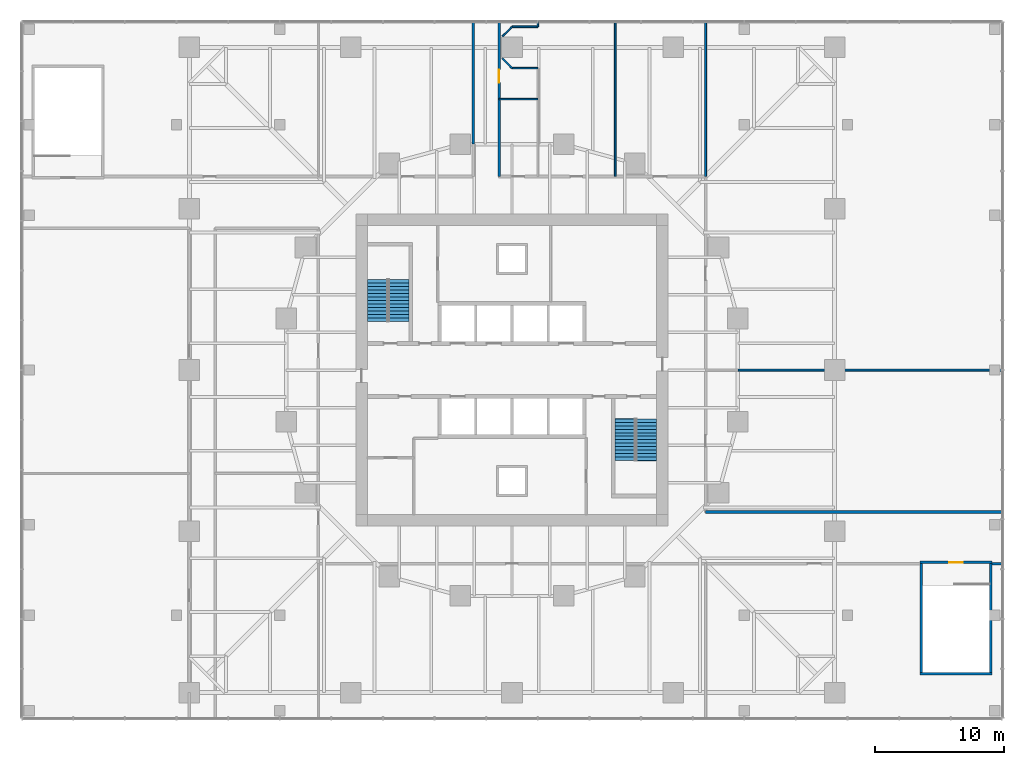
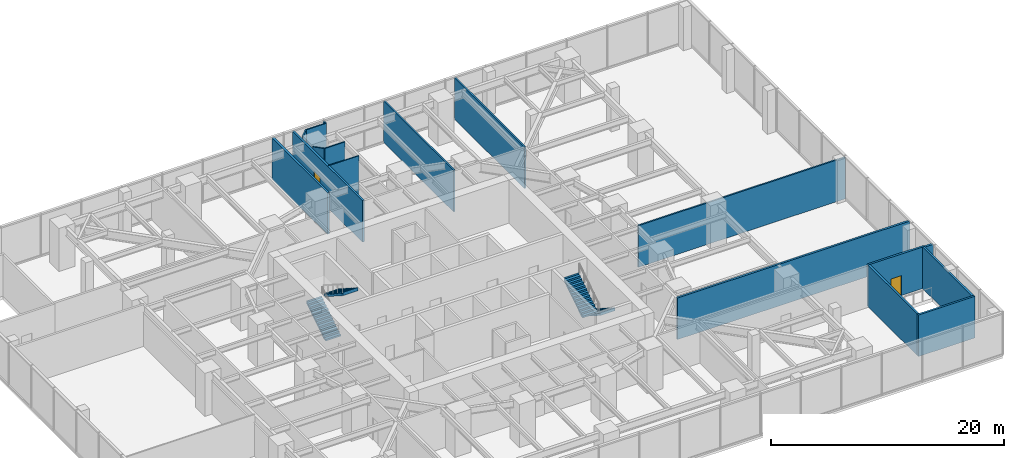
# One storey, part 13 of 14: 17 walls, 4 stair flights, 2 doors, 2 openings, 2 elements without a shape of their own.
"""IFC4 building model written with IfcOpenShell, lengths in metres."""

import ifcopenshell
import ifcopenshell.guid

model = None  # the IFC model being written
_history = None  # IfcOwnerHistory: only IFC2X3 demands one
_inside = {}  # id of a spatial element -> (the spatial element, [elements in it])
_under = {}  # id of a project, library or spatial element -> (it, [spatial elements below it])
_declared = {}  # id of a project -> (the project, [libraries it declares])
_typed = {}  # id of a type object -> (the type object, [elements of that type])
_made_of = {}  # id of a material, layer set ... -> (it, [elements and type objects made of it])


def new_model(schema):
    """Start an empty IFC model of exactly this schema.

    Asked for "IFC4X3", IfcOpenShell would pick the latest addendum, in which some entities
    have other attributes; the version numbers below select the first issue.
    IFC2X3 requires an IfcOwnerHistory on every rooted entity: one is made here for all.
    """
    global model, _history
    if schema == "IFC4X3":
        model = ifcopenshell.file(schema_version=(4, 3, 0, 0))
    else:
        model = ifcopenshell.file(schema=schema)
    _inside.clear()
    _under.clear()
    _declared.clear()
    _typed.clear()
    _made_of.clear()
    _history = None
    if model.schema == "IFC2X3":
        org = make("IfcOrganization", Name="unknown")
        user = make(
            "IfcPersonAndOrganization",
            ThePerson=make("IfcPerson", FamilyName="unknown"),
            TheOrganization=org,
        )
        app = make(
            "IfcApplication",
            ApplicationDeveloper=org,
            Version="unknown",
            ApplicationFullName="unknown",
            ApplicationIdentifier="unknown",
        )
        _history = make(
            "IfcOwnerHistory",
            OwningUser=user,
            OwningApplication=app,
            ChangeAction="ADDED",
            CreationDate=0,
        )
    return model


def make(cls, **values):
    """One entity of the class cls with the attributes given. An attribute that is None is left unset."""
    return model.create_entity(
        cls, **{name: value for name, value in values.items() if value is not None}
    )


def rooted(cls, **values):
    """An entity with a GlobalId (a new one), such as an element, a storey or a relation."""
    return make(cls, GlobalId=ifcopenshell.guid.new(), OwnerHistory=_history, **values)


def si_unit(unit_type, name, prefix=None):
    """IfcSIUnit, for example si_unit("LENGTHUNIT", "METRE", prefix="MILLI")."""
    return make("IfcSIUnit", UnitType=unit_type, Prefix=prefix, Name=name)


def assignment(units):
    """IfcUnitAssignment: the units of a project."""
    return None if units is None else make("IfcUnitAssignment", Units=units)


def point(xyz):
    """IfcCartesianPoint."""
    return None if xyz is None else make("IfcCartesianPoint", Coordinates=xyz)


def direction(xyz):
    """IfcDirection."""
    return None if xyz is None else make("IfcDirection", DirectionRatios=xyz)


def frame(location, z_axis=None, x_axis=None):
    """IfcAxis2Placement3D, a coordinate frame: its origin and axes. An axis left out is left unset."""
    return make(
        "IfcAxis2Placement3D",
        Location=point(location),
        Axis=direction(z_axis),
        RefDirection=direction(x_axis),
    )


def frame_2d(location, x_axis=None):
    """IfcAxis2Placement2D, a coordinate frame in the plane: its origin and x axis."""
    return make(
        "IfcAxis2Placement2D", Location=point(location), RefDirection=direction(x_axis)
    )


def origin():
    """The frame at (0, 0, 0) with its axes left unset."""
    return frame((0.0, 0.0, 0.0))


def place(relative_to, where):
    """IfcLocalPlacement: puts the frame where relative to a parent placement (None: the world)."""
    return make(
        "IfcLocalPlacement", PlacementRelTo=relative_to, RelativePlacement=where
    )


def context(
    kind, dimensions, precision=None, world=None, true_north=None, identifier=None
):
    """IfcGeometricRepresentationContext, for example the 3D "Model" context."""
    return make(
        "IfcGeometricRepresentationContext",
        ContextIdentifier=identifier,
        ContextType=kind,
        CoordinateSpaceDimension=dimensions,
        Precision=precision,
        WorldCoordinateSystem=world,
        TrueNorth=true_north,
    )


def subcontext(parent, identifier, kind, view, scale=None):
    """IfcGeometricRepresentationSubContext, for example "Body" below "Model"."""
    return make(
        "IfcGeometricRepresentationSubContext",
        ContextIdentifier=identifier,
        ContextType=kind,
        ParentContext=parent,
        TargetScale=scale,
        TargetView=view,
    )


def project(units=None, contexts=None):
    """IfcProject with its units and contexts."""
    return rooted(
        "IfcProject",
        Name="project",
        RepresentationContexts=contexts,
        UnitsInContext=assignment(units),
    )


def spatial(cls, under=None, at=None, **own):
    """A site, building, storey or space (cls), placed at a placement, below another one or the project."""
    s = rooted(cls, ObjectPlacement=at, **own)
    if under is not None:
        _under.setdefault(under.id(), (under, []))[1].append(s)
    return s


def polyline(points):
    """IfcPolyline through the points."""
    return make("IfcPolyline", Points=[point(p) for p in points])


def profile(cls, at=None, kind="AREA", **sizes):
    """A parametric profile (cls). Its sizes go by their IFC names, for example OverallWidth=200.0."""
    return make(cls, ProfileType=kind, Position=at, **sizes)


def rectangle(**sizes):
    """IfcRectangleProfileDef."""
    return profile("IfcRectangleProfileDef", **sizes)


def outline(outer, holes=None, kind="AREA"):
    """IfcArbitraryClosedProfileDef: a profile drawn as a closed curve; with holes, ...WithVoids."""
    if holes is None:
        return make("IfcArbitraryClosedProfileDef", ProfileType=kind, OuterCurve=outer)
    return make(
        "IfcArbitraryProfileDefWithVoids",
        ProfileType=kind,
        OuterCurve=outer,
        InnerCurves=holes,
    )


def extrude(swept, where, along, depth):
    """IfcExtrudedAreaSolid: the profile swept, set in the frame where, extruded along a direction by depth."""
    return make(
        "IfcExtrudedAreaSolid",
        SweptArea=swept,
        Position=where,
        ExtrudedDirection=direction(along),
        Depth=depth,
    )


def shape(context_of_items, identifier, shape_type, items):
    """IfcShapeRepresentation: the items that make up one representation, for example the "Body"."""
    return make(
        "IfcShapeRepresentation",
        ContextOfItems=context_of_items,
        RepresentationIdentifier=identifier,
        RepresentationType=shape_type,
        Items=items,
    )


def material(Name=None, Category=None):
    """IfcMaterial."""
    return make("IfcMaterial", Name=Name, Category=Category)


def layer(
    of_material, thickness, ventilated=None, Name=None, Category=None, Priority=None
):
    """IfcMaterialLayer: one layer of a wall or slab, of a material (None: an air gap)."""
    return make(
        "IfcMaterialLayer",
        Material=of_material,
        LayerThickness=thickness,
        IsVentilated=ventilated,
        Name=Name,
        Category=Category,
        Priority=Priority,
    )


def layer_set(layers, Name=None):
    """IfcMaterialLayerSet."""
    return make("IfcMaterialLayerSet", MaterialLayers=layers, LayerSetName=Name)


def made_of(thing, what):
    """Note that an element or type object is made of a material, layer set ...; save() writes the relation."""
    if what is not None:
        _made_of.setdefault(what.id(), (what, []))[1].append(thing)
    return thing


def type_object(cls, material=None, **own):
    """A type object (cls), such as IfcWallType, which elements share."""
    return made_of(rooted(cls, **own), material)


def element(
    cls,
    number,
    at=None,
    inside=None,
    cuts=None,
    type_object=None,
    material=None,
    context=None,
    identifier="Body",
    shape_type=None,
    held_by="IfcProductDefinitionShape",
    body=None,
    shapes=None,
    **own,
):
    """One element of the class cls, such as IfcWall. Its Tag is "e" and its number.

    at: its placement. inside: the storey or other place that contains it. cuts: it is an
    opening in that element (IfcRelVoidsElement). A single representation is given by context,
    identifier, shape_type and body (its items); several are given by shapes. held_by: the class
    of the entity that holds the representations. save() writes the other relations.
    """
    e = rooted(cls, Tag="e%d" % number, ObjectPlacement=at, **own)
    if body is not None:
        shapes = [shape(context, identifier, shape_type, body)]
    if shapes is not None:
        e.Representation = make(held_by, Representations=shapes)
    if inside is not None:
        _inside.setdefault(inside.id(), (inside, []))[1].append(e)
    if cuts is not None:
        rooted(
            "IfcRelVoidsElement", RelatingBuildingElement=cuts, RelatedOpeningElement=e
        )
    if type_object is not None:
        _typed.setdefault(type_object.id(), (type_object, []))[1].append(e)
    return made_of(e, material)


def fill(opening, filler):
    """IfcRelFillsElement: the door or window that sits in an opening."""
    return rooted(
        "IfcRelFillsElement",
        RelatingOpeningElement=opening,
        RelatedBuildingElement=filler,
    )


def aggregate(whole, parts):
    """IfcRelAggregates: a whole, such as a stair, and the parts it consists of."""
    return rooted("IfcRelAggregates", RelatingObject=whole, RelatedObjects=parts)


def save(model, path):
    """Write the relations noted so far, then the file.

    IfcRelAggregates (storeys below a building ...), IfcRelContainedInSpatialStructure (elements
    in a storey), IfcRelDefinesByType, IfcRelAssociatesMaterial and IfcRelDeclares: one each for
    every whole, place, type object, material and project.
    """
    for whole, parts in _under.values():
        aggregate(whole, parts)
    for where, things in _inside.values():
        rooted(
            "IfcRelContainedInSpatialStructure",
            RelatedElements=things,
            RelatingStructure=where,
        )
    for kind, things in _typed.values():
        rooted("IfcRelDefinesByType", RelatedObjects=things, RelatingType=kind)
    for what, things in _made_of.values():
        rooted("IfcRelAssociatesMaterial", RelatedObjects=things, RelatingMaterial=what)
    for by, libraries in _declared.values():
        rooted("IfcRelDeclares", RelatingContext=by, RelatedDefinitions=libraries)
    model.write(path)


model = new_model("IFC4")

# Units and contexts
model_context = context("Model", 3, precision=1e-05, world=origin(), true_north=direction((0.0, 1.0)))
body_context = subcontext(model_context, "Body", "Model", "MODEL_VIEW")
ifc_project = project(units=[si_unit("LENGTHUNIT", "METRE"), si_unit("AREAUNIT", "SQUARE_METRE"), si_unit("VOLUMEUNIT", "CUBIC_METRE"), si_unit("PLANEANGLEUNIT", "RADIAN"), si_unit("MASSUNIT", "GRAM", prefix="KILO")], contexts=[model_context])

# Site, building, storey
site_placement = place(None, origin())
site = spatial("IfcSite", under=ifc_project, at=site_placement, CompositionType="ELEMENT")
building_placement = place(site_placement, origin())
building = spatial("IfcBuilding", under=site, at=building_placement, Name="Torsade Residences", CompositionType="ELEMENT")
storey_placement = place(building_placement, frame((0.0, 0.0, 10.5)))
storey = spatial("IfcBuildingStorey", under=building, at=storey_placement, Name="L02", CompositionType="ELEMENT", Elevation=10.5)

# Walls
ifc_material_1 = material(Name="Plasterboard on steel stud", Category="steel")
ifc_layer_1 = layer(ifc_material_1, 0.199951171875)
ifc_layer_set_1 = layer_set([ifc_layer_1], Name="Plasterboard on steel stud")
wall_type_1 = type_object("IfcWallType", Name="CORRIDOR WALL 200", PredefinedType="PARTITIONING", material=ifc_layer_set_1)
wall_1_placement = place(storey_placement, frame((78.0, 15.0, 0.0), z_axis=(0.0, 0.0, 1.0), x_axis=(-1.0, 0.0, 0.0)))
element("IfcWall", 1, at=wall_1_placement, inside=storey, type_object=wall_type_1, Name="Corridor wall L02", PredefinedType="PARTITIONING", context=body_context, shape_type="SweptSolid", body=[
    extrude(rectangle(XDim=0.800048828125, YDim=0.199951171875, at=frame_2d((0.39990234375, 0.0))), origin(), (0.0, 0.0, 1.0), 4.35009765625),
])
wall_2_placement = place(storey_placement, frame((55.0, 19.0, 0.0), z_axis=(0.0, 0.0, 1.0), x_axis=(1.0, 0.0, 0.0)))
element("IfcWall", 2, at=wall_2_placement, inside=storey, type_object=wall_type_1, Name="Corridor wall L02", PredefinedType="PARTITIONING", context=body_context, shape_type="SweptSolid", body=[
    extrude(rectangle(XDim=23.0, YDim=0.199951171875, at=frame_2d((11.5, 0.0))), origin(), (0.0, 0.0, 1.0), 4.35009765625),
])
wall_3_placement = place(storey_placement, frame((37.0, 57.0, 0.0), z_axis=(0.0, 0.0, 1.0), x_axis=(0.0, -1.0, 0.0)))
element("IfcWall", 3, at=wall_3_placement, inside=storey, type_object=wall_type_1, Name="Corridor wall L02", PredefinedType="PARTITIONING", context=body_context, shape_type="SweptSolid", body=[
    extrude(rectangle(XDim=9.5, YDim=0.199951171875, at=frame_2d((4.75, 0.0))), origin(), (0.0, 0.0, 1.0), 4.35009765625),
])

# Wall, opening, door
wall_4_placement = place(storey_placement, frame((39.0, 57.0, 0.0), z_axis=(0.0, 0.0, 1.0), x_axis=(0.0, -1.0, 0.0)))
wall_4 = element("IfcWall", 4, at=wall_4_placement, inside=storey, type_object=wall_type_1, Name="Corridor wall L02", PredefinedType="PARTITIONING", context=body_context, shape_type="SweptSolid", body=[
    extrude(rectangle(XDim=12.0, YDim=0.199951171875, at=frame_2d((6.0, 0.0))), origin(), (0.0, 0.0, 1.0), 4.35009765625),
])
opening_1_placement = place(wall_4_placement, frame((3.715087890625, 0.0, 0.0)))
opening_1 = element("IfcOpeningElement", 5, at=opening_1_placement, cuts=wall_4, Name="Opening D04", PredefinedType="OPENING", context=body_context, shape_type="SweptSolid", body=[
    extrude(rectangle(XDim=1.02001953125, YDim=2.39990234375, at=frame_2d((0.510009765625, 1.199951171875))), frame((0.0, 0.10986328125, 0.0), z_axis=(0.0, -1.0, 0.0), x_axis=(1.0, 0.0, 0.0)), (0.0, 0.0, 1.0), 0.219970703125),
])
ifc_material_2 = material(Name="Steel-framed fire door", Category="steel")
door_type_1 = type_object("IfcDoorType", Name="LOBBY SMOKE DOOR 1020x2400", OperationType="NOTDEFINED", PredefinedType="DOOR", material=ifc_material_2)
door_1_placement = place(opening_1_placement, origin())
door_1 = element("IfcDoor", 6, at=door_1_placement, inside=storey, type_object=door_type_1, Name="Door WC lobby to Baby change room", OperationType="SINGLE_SWING_LEFT", OverallHeight=2.39990234375, OverallWidth=1.02001953125, PredefinedType="DOOR", context=body_context, shape_type="SweptSolid", body=[
    extrude(rectangle(XDim=1.02001953125, YDim=2.39990234375, at=frame_2d((0.510009765625, 1.199951171875))), frame((0.0, 0.02490234375, 0.0), z_axis=(0.0, -1.0, 0.0), x_axis=(1.0, 0.0, 0.0)), (0.0, 0.0, 1.0), 0.050048828125),
])
fill(opening_1, door_1)

# Walls
ifc_material_3 = material(Name="Plasterboard on steel stud", Category="steel")
ifc_layer_2 = layer(ifc_material_3, 0.1201171875)
ifc_layer_set_2 = layer_set([ifc_layer_2], Name="Plasterboard on steel stud")
wall_type_2 = type_object("IfcWallType", Name="PARTITION 120", PredefinedType="PARTITIONING", material=ifc_layer_set_2)
wall_5_placement = place(storey_placement, frame((39.0, 51.0, 0.0), z_axis=(0.0, 0.0, 1.0), x_axis=(1.0, 0.0, 0.0)))
element("IfcWall", 7, at=wall_5_placement, inside=storey, type_object=wall_type_2, Name="Partition L02", PredefinedType="PARTITIONING", context=body_context, shape_type="SweptSolid", body=[
    extrude(rectangle(XDim=3.0, YDim=0.1201171875, at=frame_2d((1.5, 0.0))), origin(), (0.0, 0.0, 1.0), 4.35009765625),
])
wall_6_placement = place(storey_placement, frame((42.0, 57.0, 0.0), z_axis=(0.0, 0.0, 1.0), x_axis=(0.0, -1.0, 0.0)))
element("IfcWall", 8, at=wall_6_placement, inside=storey, type_object=wall_type_2, Name="Partition L02", PredefinedType="PARTITIONING", context=body_context, shape_type="SweptSolid", body=[
    extrude(rectangle(XDim=0.39990234375, YDim=0.1201171875, at=frame_2d((0.199951171875, 0.0))), origin(), (0.0, 0.0, 1.0), 4.35009765625),
])
wall_7_placement = place(storey_placement, frame((42.0, 56.60009765625, 0.0), z_axis=(0.0, 0.0, 1.0), x_axis=(-1.0, 0.0, 0.0)))
element("IfcWall", 9, at=wall_7_placement, inside=storey, type_object=wall_type_2, Name="Partition L02", PredefinedType="PARTITIONING", context=body_context, shape_type="SweptSolid", body=[
    extrude(rectangle(XDim=2.0, YDim=0.1201171875, at=frame_2d((1.0, 0.0))), origin(), (0.0, 0.0, 1.0), 4.35009765625),
])
for number, where, z_axis, x_axis, name in (
    (10, (40.0, 56.60009765625, 0.0), (0.0, 0.0, 1.0), (-0.707106781187, -0.707106781187, 0.0), "Partition L02"),
    (11, (39.25, 54.14990234375, 0.0), (0.0, 0.0, 1.0), (0.707106781187, -0.707106781187, 0.0), "Partition L02"),
):
    element("IfcWall", number, at=place(storey_placement, frame(where, z_axis=z_axis, x_axis=x_axis)), inside=storey, type_object=wall_type_2, Name=name, PredefinedType="PARTITIONING", context=body_context, shape_type="SweptSolid", body=[
        extrude(rectangle(XDim=1.060546875, YDim=0.1201171875, at=frame_2d((0.5302734375, 0.0))), origin(), (0.0, 0.0, 1.0), 4.35009765625),
    ])
wall_8_placement = place(storey_placement, frame((40.0, 53.39990234375, 0.0), z_axis=(0.0, 0.0, 1.0), x_axis=(1.0, 0.0, 0.0)))
element("IfcWall", 12, at=wall_8_placement, inside=storey, type_object=wall_type_2, Name="Partition L02", PredefinedType="PARTITIONING", context=body_context, shape_type="SweptSolid", body=[
    extrude(rectangle(XDim=2.0, YDim=0.1201171875, at=frame_2d((1.0, 0.0))), origin(), (0.0, 0.0, 1.0), 4.35009765625),
])
ifc_material_4 = material(Name="Reinforced blockwork", Category="masonry")
ifc_layer_3 = layer(ifc_material_4, 0.199951171875)
ifc_layer_set_3 = layer_set([ifc_layer_3], Name="Reinforced blockwork")
wall_type_3 = type_object("IfcWallType", Name="PODIUM STAIR ENCLOSURE WALL 200", PredefinedType="SOLIDWALL", material=ifc_layer_set_3)
wall_9_placement = place(storey_placement, frame((71.60009765625, 6.47998046875, 0.0), z_axis=(0.0, 0.0, 1.0), x_axis=(1.0, 0.0, 0.0)))
element("IfcWall", 13, at=wall_9_placement, inside=storey, type_object=wall_type_3, Name="Stair enclosure wall L02", PredefinedType="SOLIDWALL", context=body_context, shape_type="SweptSolid", body=[
    extrude(rectangle(XDim=5.599853515625, YDim=0.199951171875, at=frame_2d((2.7998046875, 0.0))), origin(), (0.0, 0.0, 1.0), 4.35009765625),
])
wall_10_placement = place(storey_placement, frame((77.10009765625, 6.580078125, 0.0), z_axis=(0.0, 0.0, 1.0), x_axis=(0.0, 1.0, 0.0)))
element("IfcWall", 14, at=wall_10_placement, inside=storey, type_object=wall_type_3, Name="Stair enclosure wall L02", PredefinedType="SOLIDWALL", context=body_context, shape_type="SweptSolid", body=[
    extrude(rectangle(XDim=8.419921875, YDim=0.199951171875, at=frame_2d((4.2099609375, 0.0))), origin(), (0.0, 0.0, 1.0), 4.35009765625),
])

# Wall, opening, door
wall_11_placement = place(storey_placement, frame((77.199951171875, 15.10009765625, 0.0), z_axis=(0.0, 0.0, 1.0), x_axis=(-1.0, 0.0, 0.0)))
wall_11 = element("IfcWall", 15, at=wall_11_placement, inside=storey, type_object=wall_type_3, Name="Stair enclosure wall L02", PredefinedType="SOLIDWALL", context=body_context, shape_type="SweptSolid", body=[
    extrude(rectangle(XDim=5.599853515625, YDim=0.199951171875, at=frame_2d((2.7998046875, 0.0))), origin(), (0.0, 0.0, 1.0), 4.35009765625),
])
opening_2_placement = place(wall_11_placement, frame((2.2900390625, 0.0, 0.0)))
opening_2 = element("IfcOpeningElement", 16, at=opening_2_placement, cuts=wall_11, Name="Opening D03", PredefinedType="OPENING", context=body_context, shape_type="SweptSolid", body=[
    extrude(rectangle(XDim=1.02001953125, YDim=2.10009765625, at=frame_2d((0.510009765625, 1.050048828125))), frame((0.0, 0.10986328125, 0.0), z_axis=(0.0, -1.0, 0.0), x_axis=(1.0, 0.0, 0.0)), (0.0, 0.0, 1.0), 0.219970703125),
])
ifc_material_5 = material(Name="Steel-framed fire door", Category="steel")
door_type_2 = type_object("IfcDoorType", Name="FIRE DOOR 1020", OperationType="NOTDEFINED", PredefinedType="DOOR", material=ifc_material_5)
door_2_placement = place(opening_2_placement, origin())
door_2 = element("IfcDoor", 17, at=door_2_placement, inside=storey, type_object=door_type_2, Name="Exit door to fire-isolated stair ST4 L02", OperationType="SINGLE_SWING_LEFT", OverallHeight=2.10009765625, OverallWidth=1.02001953125, PredefinedType="DOOR", context=body_context, shape_type="SweptSolid", body=[
    extrude(rectangle(XDim=1.02001953125, YDim=2.10009765625, at=frame_2d((0.510009765625, 1.050048828125))), frame((0.0, 0.02490234375, 0.0), z_axis=(0.0, -1.0, 0.0), x_axis=(1.0, 0.0, 0.0)), (0.0, 0.0, 1.0), 0.050048828125),
])
fill(opening_2, door_2)

# Walls
wall_12_placement = place(storey_placement, frame((71.699951171875, 15.0, 0.0), z_axis=(0.0, 0.0, 1.0), x_axis=(0.0, -1.0, 0.0)))
element("IfcWall", 18, at=wall_12_placement, inside=storey, type_object=wall_type_3, Name="Stair enclosure wall L02", PredefinedType="SOLIDWALL", context=body_context, shape_type="SweptSolid", body=[
    extrude(rectangle(XDim=8.419921875, YDim=0.199951171875, at=frame_2d((4.2099609375, 0.0))), origin(), (0.0, 0.0, 1.0), 4.35009765625),
])
ifc_material_6 = material(Name="Reinforced blockwork", Category="masonry")
ifc_layer_4 = layer(ifc_material_6, 0.14990234375)
ifc_layer_set_4 = layer_set([ifc_layer_4], Name="Reinforced blockwork")
wall_type_4 = type_object("IfcWallType", Name="SERVICE ROOM WALL 150", PredefinedType="SOLIDWALL", material=ifc_layer_set_4)
for number, where, z_axis, x_axis, name in (
    (19, (48.0, 57.0, 0.0), (0.0, 0.0, 1.0), (0.0, -1.0, 0.0), "Service room wall L02"),
    (20, (55.0, 57.0, 0.0), (0.0, 0.0, 1.0), (0.0, -1.0, 0.0), "Service room wall L02"),
):
    element("IfcWall", number, at=place(storey_placement, frame(where, z_axis=z_axis, x_axis=x_axis)), inside=storey, type_object=wall_type_4, Name=name, PredefinedType="SOLIDWALL", context=body_context, shape_type="SweptSolid", body=[
        extrude(rectangle(XDim=12.0, YDim=0.14990234375, at=frame_2d((6.0, 0.0))), origin(), (0.0, 0.0, 1.0), 4.35009765625),
    ])
wall_13_placement = place(storey_placement, frame((57.5, 30.0, 0.0), z_axis=(0.0, 0.0, 1.0), x_axis=(1.0, 0.0, 0.0)))
element("IfcWall", 21, at=wall_13_placement, inside=storey, type_object=wall_type_4, Name="Service room wall L02", PredefinedType="SOLIDWALL", context=body_context, shape_type="SweptSolid", body=[
    extrude(rectangle(XDim=20.5, YDim=0.14990234375, at=frame_2d((10.25, 0.0))), origin(), (0.0, 0.0, 1.0), 4.35009765625),
])

# Stair, stair flights
ifc_material_7 = material(Name="Precast concrete 40 MPa", Category="concrete")
stair_type = type_object("IfcStairType", Name="HALF-TURN FIRE STAIR 1500x4500", PredefinedType="HALF_TURN_STAIR", material=ifc_material_7)
stair_1_placement = place(storey_placement, origin())
stair_1 = element("IfcStair", 22, at=stair_1_placement, inside=storey, type_object=stair_type, Name="Stair ST1 L02", PredefinedType="HALF_TURN_STAIR")
ifc_material_8 = material(Name="Precast concrete 40 MPa", Category="concrete")
stair_flight_type = type_object("IfcStairFlightType", Name="PRECAST STAIR FLIGHT 1500x2250", PredefinedType="STRAIGHT", material=ifc_material_8)
stair_flight_1_placement = place(storey_placement, frame((29.550048828125, 33.780029296875, 0.0), z_axis=(0.0, 0.0, 1.0), x_axis=(0.0, 1.0, 0.0)))
stair_flight_1 = element("IfcStairFlight", 23, at=stair_flight_1_placement, type_object=stair_flight_type, Name="ST1 flight 1", NumberOfRisers=13, NumberOfTreads=12, PredefinedType="STRAIGHT", RiserHeight=0.173076923, TreadLength=0.27, context=body_context, shape_type="SweptSolid", body=[
    extrude(outline(polyline([(0.0, 0.0), (0.0, 0.173095703125), (0.27001953125, 0.173095703125), (0.27001953125, 0.34619140625), (0.5400390625, 0.34619140625), (0.5400390625, 0.519287109375), (0.81005859375, 0.519287109375), (0.81005859375, 0.6923828125), (1.080078125, 0.6923828125), (1.080078125, 0.865478515625), (1.35009765625, 0.865478515625), (1.35009765625, 1.03857421875), (1.6201171875, 1.03857421875), (1.6201171875, 1.21142578125), (1.889892578125, 1.21142578125), (1.889892578125, 1.384521484375), (2.159912109375, 1.384521484375), (2.159912109375, 1.5576171875), (2.429931640625, 1.5576171875), (2.429931640625, 1.730712890625), (2.699951171875, 1.730712890625), (2.699951171875, 1.90380859375), (2.969970703125, 1.90380859375), (2.969970703125, 2.076904296875), (3.239990234375, 2.076904296875), (3.239990234375, 2.25), (3.25, 2.25), (3.25, 1.89892578125), (3.239990234375, 1.89892578125), (0.27783203125, 0.0), (0.0, 0.0)])), frame((0.0, 0.75, 0.0), z_axis=(0.0, -1.0, 0.0), x_axis=(1.0, 0.0, 0.0)), (0.0, 0.0, 1.0), 1.5),
])
stair_flight_2_placement = place(storey_placement, frame((31.25, 37.02001953125, 2.25), z_axis=(0.0, 0.0, 1.0), x_axis=(0.0, -1.0, 0.0)))
stair_flight_2 = element("IfcStairFlight", 24, at=stair_flight_2_placement, type_object=stair_flight_type, Name="ST1 flight 2", NumberOfRisers=13, NumberOfTreads=12, PredefinedType="STRAIGHT", RiserHeight=0.173076923, TreadLength=0.27, context=body_context, shape_type="SweptSolid", body=[
    extrude(outline(polyline([(0.0, 0.0), (0.0, 0.173095703125), (0.27001953125, 0.173095703125), (0.27001953125, 0.34619140625), (0.5400390625, 0.34619140625), (0.5400390625, 0.519287109375), (0.81005859375, 0.519287109375), (0.81005859375, 0.6923828125), (1.080078125, 0.6923828125), (1.080078125, 0.865478515625), (1.35009765625, 0.865478515625), (1.35009765625, 1.03857421875), (1.6201171875, 1.03857421875), (1.6201171875, 1.21142578125), (1.889892578125, 1.21142578125), (1.889892578125, 1.384521484375), (2.159912109375, 1.384521484375), (2.159912109375, 1.5576171875), (2.429931640625, 1.5576171875), (2.429931640625, 1.730712890625), (2.699951171875, 1.730712890625), (2.699951171875, 1.90380859375), (2.969970703125, 1.90380859375), (2.969970703125, 2.076904296875), (3.239990234375, 2.076904296875), (3.239990234375, 2.25), (3.25, 2.25), (3.25, 1.89892578125), (3.239990234375, 1.89892578125), (0.27783203125, 0.0), (0.0, 0.0)])), frame((0.0, 0.75, 0.0), z_axis=(0.0, -1.0, 0.0), x_axis=(1.0, 0.0, 0.0)), (0.0, 0.0, 1.0), 1.5),
])
aggregate(stair_1, [stair_flight_1, stair_flight_2])

stair_2_placement = place(storey_placement, origin())
stair_2 = element("IfcStair", 25, at=stair_2_placement, inside=storey, type_object=stair_type, Name="Stair ST2 L02", PredefinedType="HALF_TURN_STAIR")
stair_flight_3_placement = place(storey_placement, frame((50.449951171875, 26.219970703125, 0.0), z_axis=(0.0, 0.0, 1.0), x_axis=(0.0, -1.0, 0.0)))
stair_flight_3 = element("IfcStairFlight", 26, at=stair_flight_3_placement, type_object=stair_flight_type, Name="ST2 flight 1", NumberOfRisers=13, NumberOfTreads=12, PredefinedType="STRAIGHT", RiserHeight=0.173076923, TreadLength=0.27, context=body_context, shape_type="SweptSolid", body=[
    extrude(outline(polyline([(0.0, 0.0), (0.0, 0.173095703125), (0.27001953125, 0.173095703125), (0.27001953125, 0.34619140625), (0.5400390625, 0.34619140625), (0.5400390625, 0.519287109375), (0.81005859375, 0.519287109375), (0.81005859375, 0.6923828125), (1.080078125, 0.6923828125), (1.080078125, 0.865478515625), (1.35009765625, 0.865478515625), (1.35009765625, 1.03857421875), (1.6201171875, 1.03857421875), (1.6201171875, 1.21142578125), (1.889892578125, 1.21142578125), (1.889892578125, 1.384521484375), (2.159912109375, 1.384521484375), (2.159912109375, 1.5576171875), (2.429931640625, 1.5576171875), (2.429931640625, 1.730712890625), (2.699951171875, 1.730712890625), (2.699951171875, 1.90380859375), (2.969970703125, 1.90380859375), (2.969970703125, 2.076904296875), (3.239990234375, 2.076904296875), (3.239990234375, 2.25), (3.25, 2.25), (3.25, 1.89892578125), (3.239990234375, 1.89892578125), (0.27783203125, 0.0), (0.0, 0.0)])), frame((0.0, 0.75, 0.0), z_axis=(0.0, -1.0, 0.0), x_axis=(1.0, 0.0, 0.0)), (0.0, 0.0, 1.0), 1.5),
])
stair_flight_4_placement = place(storey_placement, frame((48.75, 22.97998046875, 2.25), z_axis=(0.0, 0.0, 1.0), x_axis=(0.0, 1.0, 0.0)))
stair_flight_4 = element("IfcStairFlight", 27, at=stair_flight_4_placement, type_object=stair_flight_type, Name="ST2 flight 2", NumberOfRisers=13, NumberOfTreads=12, PredefinedType="STRAIGHT", RiserHeight=0.173076923, TreadLength=0.27, context=body_context, shape_type="SweptSolid", body=[
    extrude(outline(polyline([(0.0, 0.0), (0.0, 0.173095703125), (0.27001953125, 0.173095703125), (0.27001953125, 0.34619140625), (0.5400390625, 0.34619140625), (0.5400390625, 0.519287109375), (0.81005859375, 0.519287109375), (0.81005859375, 0.6923828125), (1.080078125, 0.6923828125), (1.080078125, 0.865478515625), (1.35009765625, 0.865478515625), (1.35009765625, 1.03857421875), (1.6201171875, 1.03857421875), (1.6201171875, 1.21142578125), (1.889892578125, 1.21142578125), (1.889892578125, 1.384521484375), (2.159912109375, 1.384521484375), (2.159912109375, 1.5576171875), (2.429931640625, 1.5576171875), (2.429931640625, 1.730712890625), (2.699951171875, 1.730712890625), (2.699951171875, 1.90380859375), (2.969970703125, 1.90380859375), (2.969970703125, 2.076904296875), (3.239990234375, 2.076904296875), (3.239990234375, 2.25), (3.25, 2.25), (3.25, 1.89892578125), (3.239990234375, 1.89892578125), (0.27783203125, 0.0), (0.0, 0.0)])), frame((0.0, 0.75, 0.0), z_axis=(0.0, -1.0, 0.0), x_axis=(1.0, 0.0, 0.0)), (0.0, 0.0, 1.0), 1.5),
])
aggregate(stair_2, [stair_flight_3, stair_flight_4])

save(model, "model.ifc")
